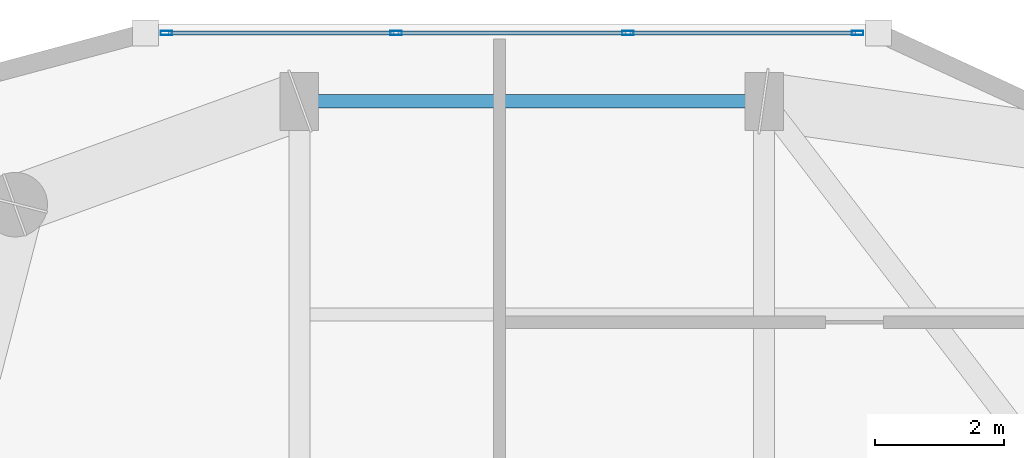
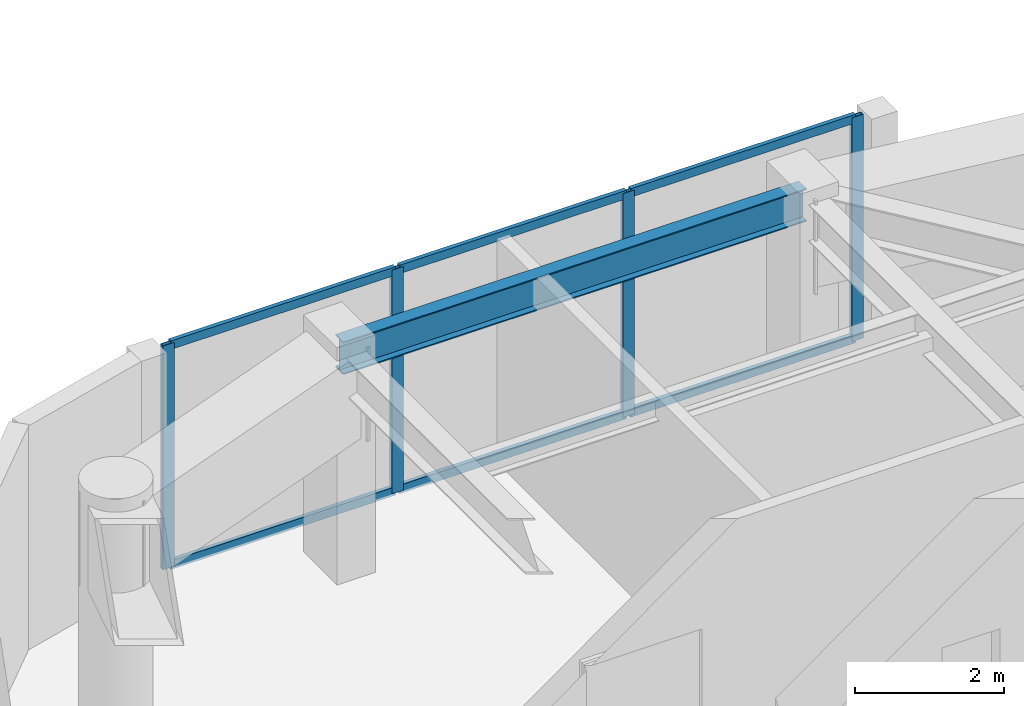
# One storey, part 6 of 16: 10 members, 1 beam, 1 element without a shape of its own.
"""IFC4 building model written with IfcOpenShell, lengths in metres."""

from ifc_helpers import new_model, si_unit, direction, frame, origin, origin_2d, place, context, subcontext, project, spatial, hollow_rectangle, i_section, extrude, material, layer, layer_set, material_profile, profile_set, type_object, element, aggregate, save


model = new_model("IFC4")

# Units and contexts
model_context = context("Model", 3, precision=1e-05, world=origin(), true_north=direction((0.0, 1.0)))
body_context = subcontext(model_context, "Body", "Model", "MODEL_VIEW")
ifc_project = project(units=[si_unit("LENGTHUNIT", "METRE"), si_unit("AREAUNIT", "SQUARE_METRE"), si_unit("VOLUMEUNIT", "CUBIC_METRE"), si_unit("PLANEANGLEUNIT", "RADIAN"), si_unit("MASSUNIT", "GRAM", prefix="KILO")], contexts=[model_context])

# Site, building, storey
site_placement = place(None, origin())
site = spatial("IfcSite", under=ifc_project, at=site_placement, CompositionType="ELEMENT")
building_placement = place(site_placement, origin())
building = spatial("IfcBuilding", under=site, at=building_placement, Name="Kiyonajd Concourse Tower", CompositionType="ELEMENT")
storey_placement = place(building_placement, frame((0.0, 0.0, 333.60009765625)))
storey = spatial("IfcBuildingStorey", under=building, at=storey_placement, Name="L84", CompositionType="ELEMENT", Elevation=333.60009765625)

# Beam
ifc_material_1 = material(Name="Steel ASTM A992 Grade 50", Category="steel")
ifc_material_profile_1 = material_profile(ifc_material_1, i_section(OverallWidth=0.2109375, OverallDepth=0.5390625, WebThickness=0.01171875, FlangeThickness=0.018798828125, at=origin_2d()), Name="W530X109")
ifc_profile_set_1 = profile_set([ifc_material_profile_1], Name="Steel ASTM A992 Grade 50")
beam_type = type_object("IfcBeamType", Name="BM-SPAN-530B", PredefinedType="SPANDREL", material=ifc_profile_set_1)
beam_placement = place(storey_placement, frame((39.60009765625, 52.199951171875, 3.410400390625), z_axis=(-1.0, 0.0, 0.0), x_axis=(0.0, -1.0, 0.0)))
element("IfcBeam", 1, at=beam_placement, inside=storey, type_object=beam_type, Name="L84 Perimeter Bundled Tube Spandrel", PredefinedType="SPANDREL", context=body_context, shape_type="SweptSolid", body=[
    extrude(i_section(OverallWidth=0.2109375, OverallDepth=0.5390625, WebThickness=0.01171875, FlangeThickness=0.018798828125, at=origin_2d()), origin(), (0.0, 0.0, 1.0), 7.2001953125),
])

# Curtain wall, members
ifc_material_2 = material(Name="Thermally Broken Anodised Aluminium", Category="aluminium")
ifc_layer = layer(ifc_material_2, 0.179931640625)
ifc_layer_set = layer_set([ifc_layer], Name="Thermally Broken Anodised Aluminium")
curtain_wall_type = type_object("IfcCurtainWallType", Name="CW-SYS-04", PredefinedType="NOTDEFINED", material=ifc_layer_set)
curtain_wall_placement = place(storey_placement, origin())
curtain_wall = element("IfcCurtainWall", 2, at=curtain_wall_placement, inside=storey, type_object=curtain_wall_type, Name="L84 Unitised Curtain Wall CW4", PredefinedType="NOTDEFINED")
ifc_material_profile_2 = material_profile(ifc_material_2, hollow_rectangle(XDim=0.06494140625, YDim=0.179931640625, WallThickness=0.00390625, at=origin_2d()), Name="MULL-65x180")
ifc_profile_set_2 = profile_set([ifc_material_profile_2], Name="Thermally Broken Anodised Aluminium")
member_type_1 = type_object("IfcMemberType", Name="MB-CW-MULL1", PredefinedType="MULLION", material=ifc_profile_set_2)
member_1_placement = place(storey_placement, frame((30.3408203125, 53.260009765625, 0.0), z_axis=(0.0, 0.0, 1.0), x_axis=(0.0, 1.0, 0.0)))
member_1 = element("IfcMember", 3, at=member_1_placement, type_object=member_type_1, Name="CW4 mullion 1", PredefinedType="MULLION", context=body_context, shape_type="SweptSolid", body=[
    extrude(hollow_rectangle(XDim=0.06494140625, YDim=0.179931640625, WallThickness=0.00390625, at=origin_2d()), origin(), (0.0, 0.0, 1.0), 3.679931640625),
])
member_2_placement = place(storey_placement, frame((33.898681640625, 53.260009765625, 0.0), z_axis=(0.0, 0.0, 1.0), x_axis=(0.0, 1.0, 0.0)))
member_2 = element("IfcMember", 4, at=member_2_placement, type_object=member_type_1, Name="CW4 mullion 2", PredefinedType="MULLION", context=body_context, shape_type="SweptSolid", body=[
    extrude(hollow_rectangle(XDim=0.06494140625, YDim=0.179931640625, WallThickness=0.00390625, at=origin_2d()), origin(), (0.0, 0.0, 1.0), 3.679931640625),
])
member_3_placement = place(storey_placement, frame((37.489013671875, 53.260009765625, 0.0), z_axis=(0.0, 0.0, 1.0), x_axis=(0.0, 1.0, 0.0)))
member_3 = element("IfcMember", 5, at=member_3_placement, type_object=member_type_1, Name="CW4 mullion 3", PredefinedType="MULLION", context=body_context, shape_type="SweptSolid", body=[
    extrude(hollow_rectangle(XDim=0.06494140625, YDim=0.179931640625, WallThickness=0.00390625, at=origin_2d()), origin(), (0.0, 0.0, 1.0), 3.679931640625),
])
member_4_placement = place(storey_placement, frame((41.046875, 53.260009765625, 0.0), z_axis=(0.0, 0.0, 1.0), x_axis=(0.0, 1.0, 0.0)))
member_4 = element("IfcMember", 6, at=member_4_placement, type_object=member_type_1, Name="CW4 mullion 4", PredefinedType="MULLION", context=body_context, shape_type="SweptSolid", body=[
    extrude(hollow_rectangle(XDim=0.06494140625, YDim=0.179931640625, WallThickness=0.00390625, at=origin_2d()), origin(), (0.0, 0.0, 1.0), 3.679931640625),
])
ifc_material_profile_3 = material_profile(ifc_material_2, hollow_rectangle(XDim=0.06494140625, YDim=0.139892578125, WallThickness=0.00390625, at=origin_2d()), Name="TRAN-65x140")
ifc_profile_set_3 = profile_set([ifc_material_profile_3], Name="Thermally Broken Anodised Aluminium")
member_type_2 = type_object("IfcMemberType", Name="MB-CW-TRAN1", PredefinedType="USERDEFINED", material=ifc_profile_set_3)
member_5_placement = place(storey_placement, frame((30.373291015625, 53.260009765625, 0.032470703125), z_axis=(1.0, 0.0, 0.0), x_axis=(0.0, 1.0, 0.0)))
member_5 = element("IfcMember", 7, at=member_5_placement, type_object=member_type_2, Name="CW4 transom 1.1", ObjectType="TRANSOM", PredefinedType="USERDEFINED", context=body_context, shape_type="SweptSolid", body=[
    extrude(hollow_rectangle(XDim=0.06494140625, YDim=0.139892578125, WallThickness=0.00390625, at=origin_2d()), origin(), (0.0, 0.0, 1.0), 3.492919921875),
])
member_6_placement = place(storey_placement, frame((30.373291015625, 53.260009765625, 3.6474609375), z_axis=(1.0, 0.0, 0.0), x_axis=(0.0, 1.0, 0.0)))
member_6 = element("IfcMember", 8, at=member_6_placement, type_object=member_type_2, Name="CW4 transom 1.2", ObjectType="TRANSOM", PredefinedType="USERDEFINED", context=body_context, shape_type="SweptSolid", body=[
    extrude(hollow_rectangle(XDim=0.06494140625, YDim=0.139892578125, WallThickness=0.00390625, at=origin_2d()), origin(), (0.0, 0.0, 1.0), 3.492919921875),
])
member_7_placement = place(storey_placement, frame((33.93115234375, 53.260009765625, 0.032470703125), z_axis=(1.0, 0.0, 0.0), x_axis=(0.0, 1.0, 0.0)))
member_7 = element("IfcMember", 9, at=member_7_placement, type_object=member_type_2, Name="CW4 transom 2.1", ObjectType="TRANSOM", PredefinedType="USERDEFINED", context=body_context, shape_type="SweptSolid", body=[
    extrude(hollow_rectangle(XDim=0.06494140625, YDim=0.139892578125, WallThickness=0.00390625, at=origin_2d()), origin(), (0.0, 0.0, 1.0), 3.525390625),
])
member_8_placement = place(storey_placement, frame((33.93115234375, 53.260009765625, 3.6474609375), z_axis=(1.0, 0.0, 0.0), x_axis=(0.0, 1.0, 0.0)))
member_8 = element("IfcMember", 10, at=member_8_placement, type_object=member_type_2, Name="CW4 transom 2.2", ObjectType="TRANSOM", PredefinedType="USERDEFINED", context=body_context, shape_type="SweptSolid", body=[
    extrude(hollow_rectangle(XDim=0.06494140625, YDim=0.139892578125, WallThickness=0.00390625, at=origin_2d()), origin(), (0.0, 0.0, 1.0), 3.525390625),
])
member_9_placement = place(storey_placement, frame((37.521484375, 53.260009765625, 0.032470703125), z_axis=(1.0, 0.0, 0.0), x_axis=(0.0, 1.0, 0.0)))
member_9 = element("IfcMember", 11, at=member_9_placement, type_object=member_type_2, Name="CW4 transom 3.1", ObjectType="TRANSOM", PredefinedType="USERDEFINED", context=body_context, shape_type="SweptSolid", body=[
    extrude(hollow_rectangle(XDim=0.06494140625, YDim=0.139892578125, WallThickness=0.00390625, at=origin_2d()), origin(), (0.0, 0.0, 1.0), 3.492919921875),
])
member_10_placement = place(storey_placement, frame((37.521484375, 53.260009765625, 3.6474609375), z_axis=(1.0, 0.0, 0.0), x_axis=(0.0, 1.0, 0.0)))
member_10 = element("IfcMember", 12, at=member_10_placement, type_object=member_type_2, Name="CW4 transom 3.2", ObjectType="TRANSOM", PredefinedType="USERDEFINED", context=body_context, shape_type="SweptSolid", body=[
    extrude(hollow_rectangle(XDim=0.06494140625, YDim=0.139892578125, WallThickness=0.00390625, at=origin_2d()), origin(), (0.0, 0.0, 1.0), 3.492919921875),
])
aggregate(curtain_wall, [member_1, member_2, member_3, member_4, member_5, member_6, member_7, member_8, member_9, member_10])

save(model, "model.ifc")
